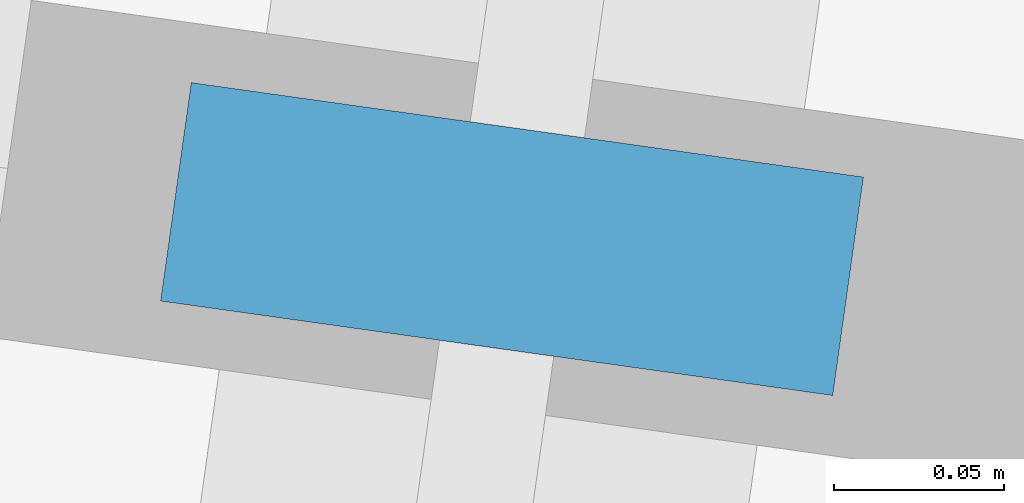
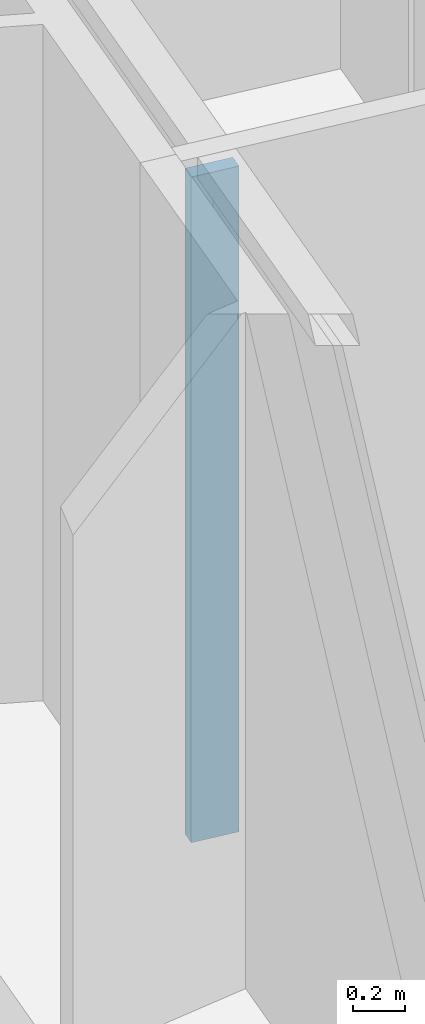
# One storey, part 4 of 38: 1 member, 1 element without a shape of its own.
"""IFC4 building model written with IfcOpenShell, lengths in metres."""

from ifc_helpers import new_model, si_unit, direction, frame, origin, origin_2d, place, context, subcontext, project, spatial, rectangle, extrude, material, material_profile, profile_set, type_object, element, aggregate, save


model = new_model("IFC4")

# Units and contexts
model_context = context("Model", 3, precision=1e-05, world=origin(), true_north=direction((0.0, 1.0)))
body_context = subcontext(model_context, "Body", "Model", "MODEL_VIEW")
ifc_project = project(units=[si_unit("LENGTHUNIT", "METRE"), si_unit("AREAUNIT", "SQUARE_METRE"), si_unit("VOLUMEUNIT", "CUBIC_METRE"), si_unit("PLANEANGLEUNIT", "RADIAN"), si_unit("MASSUNIT", "GRAM", prefix="KILO")], contexts=[model_context])

# Site, building, storey
site_placement = place(None, origin())
site = spatial("IfcSite", under=ifc_project, at=site_placement, CompositionType="ELEMENT")
building_placement = place(site_placement, origin())
building = spatial("IfcBuilding", under=site, at=building_placement, Name="Mirante Cascada Hotel Towers", CompositionType="ELEMENT")
storey_placement = place(building_placement, frame((0.0, 0.0, 184.0)))
storey = spatial("IfcBuildingStorey", under=building, at=storey_placement, Name="L43", CompositionType="ELEMENT", Elevation=184.0)

# Curtain wall, member
ifc_material_1 = material(Name="Aluminium mullion and transom frame with clear laminated glass", Category="aluminium")
curtain_wall_type = type_object("IfcCurtainWallType", Name="End ribbon curtain wall ECW2", PredefinedType="NOTDEFINED", material=ifc_material_1)
curtain_wall_placement = place(storey_placement, origin())
curtain_wall = element("IfcCurtainWall", 1, at=curtain_wall_placement, inside=storey, type_object=curtain_wall_type, Name="Outer end wall T1 L43", PredefinedType="NOTDEFINED")
ifc_material_2 = material(Name="Anodised aluminium extrusion", Category="aluminium")
ifc_material_profile = material_profile(ifc_material_2, rectangle(XDim=0.2, YDim=0.065, at=origin_2d()), Name="ECW2 MULLION 65x200")
ifc_profile_set = profile_set([ifc_material_profile], Name="Anodised aluminium extrusion")
member_type = type_object("IfcMemberType", Name="ECW2 mullion 65x200", PredefinedType="MULLION", material=ifc_profile_set)
member_placement = place(storey_placement, frame((-83.3259, 5.4945, 0.1), z_axis=(0.0, 0.0, 1.0), x_axis=(-0.9902681, 0.1391731, 0.0)))
member = element("IfcMember", 2, at=member_placement, type_object=member_type, Name="ECW2 mullion 4", PredefinedType="MULLION", context=body_context, shape_type="SweptSolid", body=[
    extrude(rectangle(XDim=0.2, YDim=0.065, at=origin_2d()), origin(), (0.0, 0.0, 1.0), 3.15),
])
aggregate(curtain_wall, [member])

save(model, "model.ifc")
